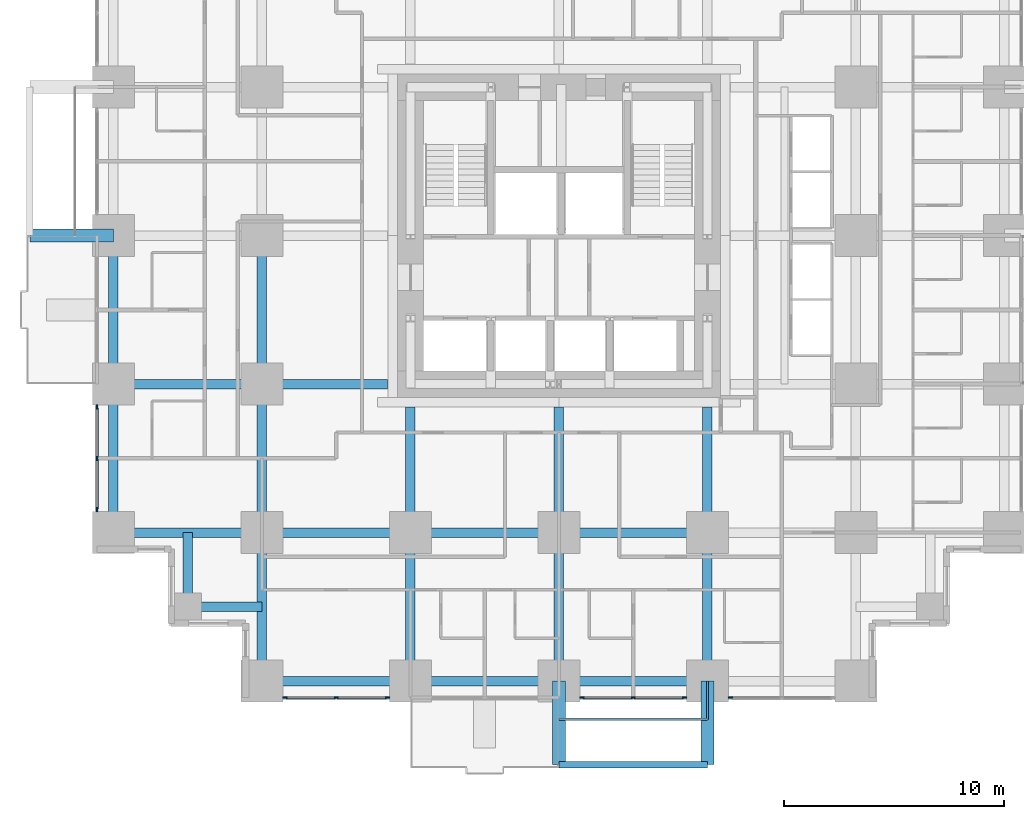
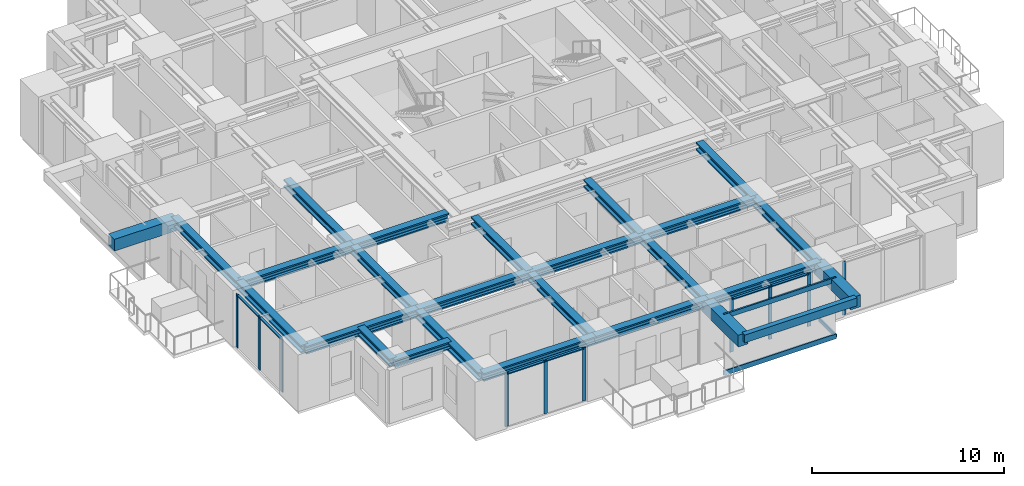
# One storey, part 2 of 15: 26 beams, 19 members, 4 elements without a shape of their own.
"""IFC4 building model written with IfcOpenShell, lengths in metres."""

import ifcopenshell
import ifcopenshell.guid

model = None  # the IFC model being written
_history = None  # IfcOwnerHistory: only IFC2X3 demands one
_inside = {}  # id of a spatial element -> (the spatial element, [elements in it])
_under = {}  # id of a project, library or spatial element -> (it, [spatial elements below it])
_declared = {}  # id of a project -> (the project, [libraries it declares])
_typed = {}  # id of a type object -> (the type object, [elements of that type])
_made_of = {}  # id of a material, layer set ... -> (it, [elements and type objects made of it])


def new_model(schema):
    """Start an empty IFC model of exactly this schema.

    Asked for "IFC4X3", IfcOpenShell would pick the latest addendum, in which some entities
    have other attributes; the version numbers below select the first issue.
    IFC2X3 requires an IfcOwnerHistory on every rooted entity: one is made here for all.
    """
    global model, _history
    if schema == "IFC4X3":
        model = ifcopenshell.file(schema_version=(4, 3, 0, 0))
    else:
        model = ifcopenshell.file(schema=schema)
    _inside.clear()
    _under.clear()
    _declared.clear()
    _typed.clear()
    _made_of.clear()
    _history = None
    if model.schema == "IFC2X3":
        org = make("IfcOrganization", Name="unknown")
        user = make(
            "IfcPersonAndOrganization",
            ThePerson=make("IfcPerson", FamilyName="unknown"),
            TheOrganization=org,
        )
        app = make(
            "IfcApplication",
            ApplicationDeveloper=org,
            Version="unknown",
            ApplicationFullName="unknown",
            ApplicationIdentifier="unknown",
        )
        _history = make(
            "IfcOwnerHistory",
            OwningUser=user,
            OwningApplication=app,
            ChangeAction="ADDED",
            CreationDate=0,
        )
    return model


def make(cls, **values):
    """One entity of the class cls with the attributes given. An attribute that is None is left unset."""
    return model.create_entity(
        cls, **{name: value for name, value in values.items() if value is not None}
    )


def rooted(cls, **values):
    """An entity with a GlobalId (a new one), such as an element, a storey or a relation."""
    return make(cls, GlobalId=ifcopenshell.guid.new(), OwnerHistory=_history, **values)


def si_unit(unit_type, name, prefix=None):
    """IfcSIUnit, for example si_unit("LENGTHUNIT", "METRE", prefix="MILLI")."""
    return make("IfcSIUnit", UnitType=unit_type, Prefix=prefix, Name=name)


def assignment(units):
    """IfcUnitAssignment: the units of a project."""
    return None if units is None else make("IfcUnitAssignment", Units=units)


def point(xyz):
    """IfcCartesianPoint."""
    return None if xyz is None else make("IfcCartesianPoint", Coordinates=xyz)


def direction(xyz):
    """IfcDirection."""
    return None if xyz is None else make("IfcDirection", DirectionRatios=xyz)


def frame(location, z_axis=None, x_axis=None):
    """IfcAxis2Placement3D, a coordinate frame: its origin and axes. An axis left out is left unset."""
    return make(
        "IfcAxis2Placement3D",
        Location=point(location),
        Axis=direction(z_axis),
        RefDirection=direction(x_axis),
    )


def frame_2d(location, x_axis=None):
    """IfcAxis2Placement2D, a coordinate frame in the plane: its origin and x axis."""
    return make(
        "IfcAxis2Placement2D", Location=point(location), RefDirection=direction(x_axis)
    )


def origin():
    """The frame at (0, 0, 0) with its axes left unset."""
    return frame((0.0, 0.0, 0.0))


def origin_2d():
    """The frame at (0, 0) in the plane with its x axis left unset."""
    return frame_2d((0.0, 0.0))


def place(relative_to, where):
    """IfcLocalPlacement: puts the frame where relative to a parent placement (None: the world)."""
    return make(
        "IfcLocalPlacement", PlacementRelTo=relative_to, RelativePlacement=where
    )


def context(
    kind, dimensions, precision=None, world=None, true_north=None, identifier=None
):
    """IfcGeometricRepresentationContext, for example the 3D "Model" context."""
    return make(
        "IfcGeometricRepresentationContext",
        ContextIdentifier=identifier,
        ContextType=kind,
        CoordinateSpaceDimension=dimensions,
        Precision=precision,
        WorldCoordinateSystem=world,
        TrueNorth=true_north,
    )


def subcontext(parent, identifier, kind, view, scale=None):
    """IfcGeometricRepresentationSubContext, for example "Body" below "Model"."""
    return make(
        "IfcGeometricRepresentationSubContext",
        ContextIdentifier=identifier,
        ContextType=kind,
        ParentContext=parent,
        TargetScale=scale,
        TargetView=view,
    )


def project(units=None, contexts=None):
    """IfcProject with its units and contexts."""
    return rooted(
        "IfcProject",
        Name="project",
        RepresentationContexts=contexts,
        UnitsInContext=assignment(units),
    )


def spatial(cls, under=None, at=None, **own):
    """A site, building, storey or space (cls), placed at a placement, below another one or the project."""
    s = rooted(cls, ObjectPlacement=at, **own)
    if under is not None:
        _under.setdefault(under.id(), (under, []))[1].append(s)
    return s


def profile(cls, at=None, kind="AREA", **sizes):
    """A parametric profile (cls). Its sizes go by their IFC names, for example OverallWidth=200.0."""
    return make(cls, ProfileType=kind, Position=at, **sizes)


def rectangle(**sizes):
    """IfcRectangleProfileDef."""
    return profile("IfcRectangleProfileDef", **sizes)


def hollow_rectangle(**sizes):
    """IfcRectangleHollowProfileDef."""
    return profile("IfcRectangleHollowProfileDef", **sizes)


def i_section(**sizes):
    """IfcIShapeProfileDef."""
    return profile("IfcIShapeProfileDef", **sizes)


def extrude(swept, where, along, depth):
    """IfcExtrudedAreaSolid: the profile swept, set in the frame where, extruded along a direction by depth."""
    return make(
        "IfcExtrudedAreaSolid",
        SweptArea=swept,
        Position=where,
        ExtrudedDirection=direction(along),
        Depth=depth,
    )


def shape(context_of_items, identifier, shape_type, items):
    """IfcShapeRepresentation: the items that make up one representation, for example the "Body"."""
    return make(
        "IfcShapeRepresentation",
        ContextOfItems=context_of_items,
        RepresentationIdentifier=identifier,
        RepresentationType=shape_type,
        Items=items,
    )


def material(Name=None, Category=None):
    """IfcMaterial."""
    return make("IfcMaterial", Name=Name, Category=Category)


def material_profile(
    of_material, cross_section, Name=None, Category=None, Priority=None
):
    """IfcMaterialProfile: a cross section and its material."""
    return make(
        "IfcMaterialProfile",
        Name=Name,
        Material=of_material,
        Profile=cross_section,
        Priority=Priority,
        Category=Category,
    )


def profile_set(profiles, Name=None, composite=None):
    """IfcMaterialProfileSet."""
    return make(
        "IfcMaterialProfileSet",
        Name=Name,
        MaterialProfiles=profiles,
        CompositeProfile=composite,
    )


def made_of(thing, what):
    """Note that an element or type object is made of a material, layer set ...; save() writes the relation."""
    if what is not None:
        _made_of.setdefault(what.id(), (what, []))[1].append(thing)
    return thing


def type_object(cls, material=None, **own):
    """A type object (cls), such as IfcWallType, which elements share."""
    return made_of(rooted(cls, **own), material)


def element(
    cls,
    number,
    at=None,
    inside=None,
    cuts=None,
    type_object=None,
    material=None,
    context=None,
    identifier="Body",
    shape_type=None,
    held_by="IfcProductDefinitionShape",
    body=None,
    shapes=None,
    **own,
):
    """One element of the class cls, such as IfcWall. Its Tag is "e" and its number.

    at: its placement. inside: the storey or other place that contains it. cuts: it is an
    opening in that element (IfcRelVoidsElement). A single representation is given by context,
    identifier, shape_type and body (its items); several are given by shapes. held_by: the class
    of the entity that holds the representations. save() writes the other relations.
    """
    e = rooted(cls, Tag="e%d" % number, ObjectPlacement=at, **own)
    if body is not None:
        shapes = [shape(context, identifier, shape_type, body)]
    if shapes is not None:
        e.Representation = make(held_by, Representations=shapes)
    if inside is not None:
        _inside.setdefault(inside.id(), (inside, []))[1].append(e)
    if cuts is not None:
        rooted(
            "IfcRelVoidsElement", RelatingBuildingElement=cuts, RelatedOpeningElement=e
        )
    if type_object is not None:
        _typed.setdefault(type_object.id(), (type_object, []))[1].append(e)
    return made_of(e, material)


def aggregate(whole, parts):
    """IfcRelAggregates: a whole, such as a stair, and the parts it consists of."""
    return rooted("IfcRelAggregates", RelatingObject=whole, RelatedObjects=parts)


def save(model, path):
    """Write the relations noted so far, then the file.

    IfcRelAggregates (storeys below a building ...), IfcRelContainedInSpatialStructure (elements
    in a storey), IfcRelDefinesByType, IfcRelAssociatesMaterial and IfcRelDeclares: one each for
    every whole, place, type object, material and project.
    """
    for whole, parts in _under.values():
        aggregate(whole, parts)
    for where, things in _inside.values():
        rooted(
            "IfcRelContainedInSpatialStructure",
            RelatedElements=things,
            RelatingStructure=where,
        )
    for kind, things in _typed.values():
        rooted("IfcRelDefinesByType", RelatedObjects=things, RelatingType=kind)
    for what, things in _made_of.values():
        rooted("IfcRelAssociatesMaterial", RelatedObjects=things, RelatingMaterial=what)
    for by, libraries in _declared.values():
        rooted("IfcRelDeclares", RelatingContext=by, RelatedDefinitions=libraries)
    model.write(path)


model = new_model("IFC4")

# Units and contexts
model_context = context("Model", 3, precision=1e-05, world=origin(), true_north=direction((0.0, 1.0)))
body_context = subcontext(model_context, "Body", "Model", "MODEL_VIEW")
ifc_project = project(units=[si_unit("LENGTHUNIT", "METRE"), si_unit("AREAUNIT", "SQUARE_METRE"), si_unit("VOLUMEUNIT", "CUBIC_METRE"), si_unit("PLANEANGLEUNIT", "RADIAN"), si_unit("MASSUNIT", "GRAM", prefix="KILO")], contexts=[model_context])

# Site, building, storey
site_placement = place(None, origin())
site = spatial("IfcSite", under=ifc_project, at=site_placement, CompositionType="ELEMENT")
building_placement = place(site_placement, origin())
building = spatial("IfcBuilding", under=site, at=building_placement, Name="Nyansa Garden Tower", CompositionType="ELEMENT")
storey_placement = place(building_placement, frame((0.0, 0.0, 32.39990234375)))
storey = spatial("IfcBuildingStorey", under=building, at=storey_placement, Name="L08", CompositionType="ELEMENT", Elevation=32.39990234375)

# Beams
ifc_material_1 = material(Name="Concrete C70/85", Category="concrete")
ifc_material_profile_1 = material_profile(ifc_material_1, rectangle(XDim=0.60009765625, YDim=0.75, at=origin_2d()), Name="RC 600x750")
ifc_profile_set_1 = profile_set([ifc_material_profile_1], Name="Concrete C70/85")
beam_type_1 = type_object("IfcBeamType", Name="Balcony cantilever beam CB1 RC 600x750", PredefinedType="BEAM", material=ifc_profile_set_1)
for number, where, z_axis, x_axis, name in (
    (1, (20.25, 0.0, 2.985107421875), (0.0, -1.0, 0.0), (1.0, 0.0, 0.0), "Balcony cantilever beam L09"),
    (2, (27.0, 0.0, 2.985107421875), (0.0, -1.0, 0.0), (1.0, 0.0, 0.0), "Balcony cantilever beam L09"),
    (3, (0.0, 20.25, 2.985107421875), (-1.0, 0.0, 0.0), (0.0, -1.0, 0.0), "Balcony cantilever beam L09"),
):
    element("IfcBeam", number, at=place(storey_placement, frame(where, z_axis=z_axis, x_axis=x_axis)), inside=storey, type_object=beam_type_1, Name=name, PredefinedType="BEAM", context=body_context, shape_type="SweptSolid", body=[
        extrude(rectangle(XDim=0.60009765625, YDim=0.75, at=origin_2d()), origin(), (0.0, 0.0, 1.0), 3.800048828125),
    ])
ifc_material_2 = material(Name="Concrete C70/85", Category="concrete")
ifc_material_profile_2 = material_profile(ifc_material_2, rectangle(XDim=0.300048828125, YDim=0.5, at=origin_2d()), Name="RC 300x500")
ifc_profile_set_2 = profile_set([ifc_material_profile_2], Name="Concrete C70/85")
beam_type_2 = type_object("IfcBeamType", Name="Balcony edge beam BE1 RC 300x500", PredefinedType="BEAM", material=ifc_profile_set_2)
beam_1_placement = place(storey_placement, frame((20.25, -3.800048828125, 3.110107421875), z_axis=(1.0, 0.0, 0.0), x_axis=(0.0, 1.0, 0.0)))
element("IfcBeam", 4, at=beam_1_placement, inside=storey, type_object=beam_type_2, Name="Balcony edge beam L09", PredefinedType="BEAM", context=body_context, shape_type="SweptSolid", body=[
    extrude(rectangle(XDim=0.300048828125, YDim=0.5, at=origin_2d()), origin(), (0.0, 0.0, 1.0), 6.75),
])

# Curtain wall, members
ifc_material_3 = material(Name="Black anodised aluminium, dark tinted double glazing", Category="aluminium")
curtain_wall_type = type_object("IfcCurtainWallType", Name="Inner skin curtain wall ISW-A", PredefinedType="USERDEFINED", material=ifc_material_3)
curtain_wall_1_placement = place(storey_placement, origin())
curtain_wall_1 = element("IfcCurtainWall", 5, at=curtain_wall_1_placement, inside=storey, type_object=curtain_wall_type, Name="Inner skin curtain wall L08 W", ObjectType="UNITISED CURTAIN WALL", PredefinedType="USERDEFINED")
ifc_material_4 = material(Name="Black anodised aluminium", Category="aluminium")
ifc_material_profile_3 = material_profile(ifc_material_4, rectangle(XDim=0.06494140625, YDim=0.199951171875, at=origin_2d()), Name="Mullion 200x65")
ifc_profile_set_3 = profile_set([ifc_material_profile_3], Name="Black anodised aluminium")
member_type_1 = type_object("IfcMemberType", Name="Mullion ISW-A 200x65", PredefinedType="MULLION", material=ifc_profile_set_3)
member_1_placement = place(storey_placement, frame((-0.75, 12.449951171875, 0.0), z_axis=(0.0, 0.0, 1.0), x_axis=(1.0, 0.0, 0.0)))
member_1 = element("IfcMember", 6, at=member_1_placement, type_object=member_type_1, Name="ISW-A mullion 1", PredefinedType="MULLION", context=body_context, shape_type="SweptSolid", body=[
    extrude(rectangle(XDim=0.06494140625, YDim=0.199951171875, at=origin_2d()), origin(), (0.0, 0.0, 1.0), 3.375),
])
member_2_placement = place(storey_placement, frame((-0.75, 10.125, 0.0), z_axis=(0.0, 0.0, 1.0), x_axis=(1.0, 0.0, 0.0)))
member_2 = element("IfcMember", 7, at=member_2_placement, type_object=member_type_1, Name="ISW-A mullion 2", PredefinedType="MULLION", context=body_context, shape_type="SweptSolid", body=[
    extrude(rectangle(XDim=0.06494140625, YDim=0.199951171875, at=origin_2d()), origin(), (0.0, 0.0, 1.0), 3.375),
])
member_3_placement = place(storey_placement, frame((-0.75, 7.800048828125, 0.0), z_axis=(0.0, 0.0, 1.0), x_axis=(1.0, 0.0, 0.0)))
member_3 = element("IfcMember", 8, at=member_3_placement, type_object=member_type_1, Name="ISW-A mullion 3", PredefinedType="MULLION", context=body_context, shape_type="SweptSolid", body=[
    extrude(rectangle(XDim=0.06494140625, YDim=0.199951171875, at=origin_2d()), origin(), (0.0, 0.0, 1.0), 3.375),
])

curtain_wall_2_placement = place(storey_placement, origin())
curtain_wall_2 = element("IfcCurtainWall", 9, at=curtain_wall_2_placement, inside=storey, type_object=curtain_wall_type, Name="Inner skin curtain wall L08 S", ObjectType="UNITISED CURTAIN WALL", PredefinedType="USERDEFINED")
member_4_placement = place(storey_placement, frame((7.800048828125, -0.75, 0.0), z_axis=(0.0, 0.0, 1.0), x_axis=(0.0, 1.0, 0.0)))
member_4 = element("IfcMember", 10, at=member_4_placement, type_object=member_type_1, Name="ISW-A mullion 1", PredefinedType="MULLION", context=body_context, shape_type="SweptSolid", body=[
    extrude(rectangle(XDim=0.06494140625, YDim=0.199951171875, at=origin_2d()), origin(), (0.0, 0.0, 1.0), 3.375),
])
member_5_placement = place(storey_placement, frame((10.125, -0.75, 0.0), z_axis=(0.0, 0.0, 1.0), x_axis=(0.0, 1.0, 0.0)))
member_5 = element("IfcMember", 11, at=member_5_placement, type_object=member_type_1, Name="ISW-A mullion 2", PredefinedType="MULLION", context=body_context, shape_type="SweptSolid", body=[
    extrude(rectangle(XDim=0.06494140625, YDim=0.199951171875, at=origin_2d()), origin(), (0.0, 0.0, 1.0), 3.375),
])
member_6_placement = place(storey_placement, frame((12.449951171875, -0.75, 0.0), z_axis=(0.0, 0.0, 1.0), x_axis=(0.0, 1.0, 0.0)))
member_6 = element("IfcMember", 12, at=member_6_placement, type_object=member_type_1, Name="ISW-A mullion 3", PredefinedType="MULLION", context=body_context, shape_type="SweptSolid", body=[
    extrude(rectangle(XDim=0.06494140625, YDim=0.199951171875, at=origin_2d()), origin(), (0.0, 0.0, 1.0), 3.375),
])

curtain_wall_3_placement = place(storey_placement, origin())
curtain_wall_3 = element("IfcCurtainWall", 13, at=curtain_wall_3_placement, inside=storey, type_object=curtain_wall_type, Name="Inner skin curtain wall L08 S", ObjectType="UNITISED CURTAIN WALL", PredefinedType="USERDEFINED")
member_7_placement = place(storey_placement, frame((21.300048828125, -0.75, 0.0), z_axis=(0.0, 0.0, 1.0), x_axis=(0.0, 1.0, 0.0)))
member_7 = element("IfcMember", 14, at=member_7_placement, type_object=member_type_1, Name="ISW-A mullion 1", PredefinedType="MULLION", context=body_context, shape_type="SweptSolid", body=[
    extrude(rectangle(XDim=0.06494140625, YDim=0.199951171875, at=origin_2d()), origin(), (0.0, 0.0, 1.0), 3.375),
])
member_8_placement = place(storey_placement, frame((23.625, -0.75, 0.0), z_axis=(0.0, 0.0, 1.0), x_axis=(0.0, 1.0, 0.0)))
member_8 = element("IfcMember", 15, at=member_8_placement, type_object=member_type_1, Name="ISW-A mullion 2", PredefinedType="MULLION", context=body_context, shape_type="SweptSolid", body=[
    extrude(rectangle(XDim=0.06494140625, YDim=0.199951171875, at=origin_2d()), origin(), (0.0, 0.0, 1.0), 3.375),
])
member_9_placement = place(storey_placement, frame((25.949951171875, -0.75, 0.0), z_axis=(0.0, 0.0, 1.0), x_axis=(0.0, 1.0, 0.0)))
member_9 = element("IfcMember", 16, at=member_9_placement, type_object=member_type_1, Name="ISW-A mullion 3", PredefinedType="MULLION", context=body_context, shape_type="SweptSolid", body=[
    extrude(rectangle(XDim=0.06494140625, YDim=0.199951171875, at=origin_2d()), origin(), (0.0, 0.0, 1.0), 3.375),
])

# Curtain wall, member
curtain_wall_4_placement = place(storey_placement, origin())
curtain_wall_4 = element("IfcCurtainWall", 17, at=curtain_wall_4_placement, inside=storey, type_object=curtain_wall_type, Name="Inner skin curtain wall L08 S", ObjectType="UNITISED CURTAIN WALL", PredefinedType="USERDEFINED")
member_10_placement = place(storey_placement, frame((28.050048828125, -0.75, 0.0), z_axis=(0.0, 0.0, 1.0), x_axis=(0.0, 1.0, 0.0)))
member_10 = element("IfcMember", 18, at=member_10_placement, type_object=member_type_1, Name="ISW-A mullion 1", PredefinedType="MULLION", context=body_context, shape_type="SweptSolid", body=[
    extrude(rectangle(XDim=0.06494140625, YDim=0.199951171875, at=origin_2d()), origin(), (0.0, 0.0, 1.0), 3.375),
])
aggregate(curtain_wall_4, [member_10])

# Members
ifc_material_5 = material(Name="Steel S355, black powder coated", Category="steel")
ifc_material_profile_4 = material_profile(ifc_material_5, hollow_rectangle(XDim=0.10009765625, YDim=0.199951171875, WallThickness=0.008056640625, at=origin_2d()), Name="RHS 200x100x8")
ifc_profile_set_4 = profile_set([ifc_material_profile_4], Name="Steel S355, black powder coated")
member_type_2 = type_object("IfcMemberType", Name="Outer skin bracket arm RHS 200x100x8", PredefinedType="USERDEFINED", material=ifc_profile_set_4)
member_11_placement = place(storey_placement, frame((27.0, 0.0, -0.375), z_axis=(0.0, -1.0, 0.0), x_axis=(1.0, 0.0, 0.0)))
element("IfcMember", 19, at=member_11_placement, inside=storey, type_object=member_type_2, Name="Outer skin bracket arm", ObjectType="OUTER SKIN BRACKET", PredefinedType="USERDEFINED", context=body_context, shape_type="SweptSolid", body=[
    extrude(hollow_rectangle(XDim=0.10009765625, YDim=0.199951171875, WallThickness=0.008056640625, at=origin_2d()), origin(), (0.0, 0.0, 1.0), 1.75),
])
ifc_material_6 = material(Name="Steel S355, black powder coated", Category="steel")
ifc_material_profile_5 = material_profile(ifc_material_6, hollow_rectangle(XDim=0.10009765625, YDim=0.300048828125, WallThickness=0.010009765625, at=origin_2d()), Name="RHS 300x100x10")
ifc_profile_set_5 = profile_set([ifc_material_profile_5], Name="Steel S355, black powder coated")
member_type_3 = type_object("IfcMemberType", Name="Outer skin rail RHS 300x100x10", PredefinedType="USERDEFINED", material=ifc_profile_set_5)
for number, where, z_axis, x_axis, name in (
    (20, (20.25, -1.75, -0.375), (1.0, 0.0, 0.0), (0.0, 1.0, 0.0), "Outer skin rail L08"),
    (21, (20.25, -1.75, 3.22509765625), (1.0, 0.0, 0.0), (0.0, 1.0, 0.0), "Outer skin rail L08 head"),
):
    element("IfcMember", number, at=place(storey_placement, frame(where, z_axis=z_axis, x_axis=x_axis)), inside=storey, type_object=member_type_3, Name=name, ObjectType="OUTER SKIN RAIL", PredefinedType="USERDEFINED", context=body_context, shape_type="SweptSolid", body=[
        extrude(hollow_rectangle(XDim=0.10009765625, YDim=0.300048828125, WallThickness=0.010009765625, at=origin_2d()), origin(), (0.0, 0.0, 1.0), 6.75),
    ])

# Beams
ifc_material_7 = material(Name="Steel S355", Category="steel")
ifc_material_profile_6 = material_profile(ifc_material_7, i_section(OverallWidth=0.431884765625, OverallDepth=0.498046875, WebThickness=0.0556640625, FlangeThickness=0.0888671875, FilletRadius=0.014892578125, at=origin_2d()), Name="HD 400x744")
ifc_profile_set_6 = profile_set([ifc_material_profile_6], Name="Steel S355")
beam_type_3 = type_object("IfcBeamType", Name="Steel beam SBA1-744 HD 400x744", PredefinedType="BEAM", material=ifc_profile_set_6)
for number, where, z_axis, x_axis, name in (
    (22, (0.0, 6.75, 3.1259765625), (1.0, 0.0, 0.0), (0.0, 1.0, 0.0), "Steel beam 2/E-3/E L09"),
    (23, (0.0, 13.5, 3.1259765625), (1.0, 0.0, 0.0), (0.0, 1.0, 0.0), "Steel beam 2/F-3/F L09"),
    (24, (6.75, 0.0, 3.1259765625), (0.0, 1.0, 0.0), (-1.0, 0.0, 0.0), "Steel beam 3/D-3/E L09"),
    (25, (6.75, 6.75, 3.1259765625), (0.0, 1.0, 0.0), (-1.0, 0.0, 0.0), "Steel beam 3/E-3/F L09"),
    (26, (6.75, 6.75, 3.1259765625), (1.0, 0.0, 0.0), (0.0, 1.0, 0.0), "Steel beam 3/E-4/E L09"),
    (27, (6.75, 13.5, 3.1259765625), (0.0, 1.0, 0.0), (-1.0, 0.0, 0.0), "Steel beam 3/F-3/G L09"),
):
    element("IfcBeam", number, at=place(storey_placement, frame(where, z_axis=z_axis, x_axis=x_axis)), inside=storey, type_object=beam_type_3, Name=name, PredefinedType="BEAM", context=body_context, shape_type="SweptSolid", body=[
        extrude(i_section(OverallWidth=0.431884765625, OverallDepth=0.498046875, WebThickness=0.0556640625, FlangeThickness=0.0888671875, FilletRadius=0.014892578125, at=origin_2d()), origin(), (0.0, 0.0, 1.0), 6.75),
    ])
beam_2_placement = place(storey_placement, frame((6.75, 13.5, 3.1259765625), z_axis=(1.0, 0.0, 0.0), x_axis=(0.0, 1.0, 0.0)))
element("IfcBeam", 28, at=beam_2_placement, inside=storey, type_object=beam_type_3, Name="Steel beam 3/F-12.450/F L09", PredefinedType="BEAM", context=body_context, shape_type="SweptSolid", body=[
    extrude(i_section(OverallWidth=0.431884765625, OverallDepth=0.498046875, WebThickness=0.0556640625, FlangeThickness=0.0888671875, FilletRadius=0.014892578125, at=origin_2d()), origin(), (0.0, 0.0, 1.0), 5.699951171875),
])
beam_3_placement = place(storey_placement, frame((13.5, 0.0, 3.1259765625), z_axis=(0.0, 1.0, 0.0), x_axis=(-1.0, 0.0, 0.0)))
element("IfcBeam", 29, at=beam_3_placement, inside=storey, type_object=beam_type_3, Name="Steel beam 4/D-4/E L09", PredefinedType="BEAM", context=body_context, shape_type="SweptSolid", body=[
    extrude(i_section(OverallWidth=0.431884765625, OverallDepth=0.498046875, WebThickness=0.0556640625, FlangeThickness=0.0888671875, FilletRadius=0.014892578125, at=origin_2d()), origin(), (0.0, 0.0, 1.0), 6.75),
])
beam_4_placement = place(storey_placement, frame((13.5, 6.75, 3.1259765625), z_axis=(0.0, 1.0, 0.0), x_axis=(-1.0, 0.0, 0.0)))
element("IfcBeam", 30, at=beam_4_placement, inside=storey, type_object=beam_type_3, Name="Steel beam 4/E-4/12.450 L09", PredefinedType="BEAM", context=body_context, shape_type="SweptSolid", body=[
    extrude(i_section(OverallWidth=0.431884765625, OverallDepth=0.498046875, WebThickness=0.0556640625, FlangeThickness=0.0888671875, FilletRadius=0.014892578125, at=origin_2d()), origin(), (0.0, 0.0, 1.0), 5.699951171875),
])
for number, where, z_axis, x_axis, name in (
    (31, (13.5, 6.75, 3.1259765625), (1.0, 0.0, 0.0), (0.0, 1.0, 0.0), "Steel beam 4/E-5/E L09"),
    (32, (20.25, 0.0, 3.1259765625), (0.0, 1.0, 0.0), (-1.0, 0.0, 0.0), "Steel beam 5/D-5/E L09"),
):
    element("IfcBeam", number, at=place(storey_placement, frame(where, z_axis=z_axis, x_axis=x_axis)), inside=storey, type_object=beam_type_3, Name=name, PredefinedType="BEAM", context=body_context, shape_type="SweptSolid", body=[
        extrude(i_section(OverallWidth=0.431884765625, OverallDepth=0.498046875, WebThickness=0.0556640625, FlangeThickness=0.0888671875, FilletRadius=0.014892578125, at=origin_2d()), origin(), (0.0, 0.0, 1.0), 6.75),
    ])
beam_5_placement = place(storey_placement, frame((20.25, 6.75, 3.1259765625), z_axis=(0.0, 1.0, 0.0), x_axis=(-1.0, 0.0, 0.0)))
element("IfcBeam", 33, at=beam_5_placement, inside=storey, type_object=beam_type_3, Name="Steel beam 5/E-5/12.450 L09", PredefinedType="BEAM", context=body_context, shape_type="SweptSolid", body=[
    extrude(i_section(OverallWidth=0.431884765625, OverallDepth=0.498046875, WebThickness=0.0556640625, FlangeThickness=0.0888671875, FilletRadius=0.014892578125, at=origin_2d()), origin(), (0.0, 0.0, 1.0), 5.699951171875),
])
for number, where, z_axis, x_axis, name in (
    (34, (20.25, 6.75, 3.1259765625), (1.0, 0.0, 0.0), (0.0, 1.0, 0.0), "Steel beam 5/E-6/E L09"),
    (35, (27.0, 0.0, 3.1259765625), (0.0, 1.0, 0.0), (-1.0, 0.0, 0.0), "Steel beam 6/D-6/E L09"),
):
    element("IfcBeam", number, at=place(storey_placement, frame(where, z_axis=z_axis, x_axis=x_axis)), inside=storey, type_object=beam_type_3, Name=name, PredefinedType="BEAM", context=body_context, shape_type="SweptSolid", body=[
        extrude(i_section(OverallWidth=0.431884765625, OverallDepth=0.498046875, WebThickness=0.0556640625, FlangeThickness=0.0888671875, FilletRadius=0.014892578125, at=origin_2d()), origin(), (0.0, 0.0, 1.0), 6.75),
    ])
beam_6_placement = place(storey_placement, frame((27.0, 6.75, 3.1259765625), z_axis=(0.0, 1.0, 0.0), x_axis=(-1.0, 0.0, 0.0)))
element("IfcBeam", 36, at=beam_6_placement, inside=storey, type_object=beam_type_3, Name="Steel beam 6/E-6/12.450 L09", PredefinedType="BEAM", context=body_context, shape_type="SweptSolid", body=[
    extrude(i_section(OverallWidth=0.431884765625, OverallDepth=0.498046875, WebThickness=0.0556640625, FlangeThickness=0.0888671875, FilletRadius=0.014892578125, at=origin_2d()), origin(), (0.0, 0.0, 1.0), 5.699951171875),
])
ifc_material_8 = material(Name="Steel S355", Category="steel")
ifc_material_profile_7 = material_profile(ifc_material_8, i_section(OverallWidth=0.431884765625, OverallDepth=0.498046875, WebThickness=0.0556640625, FlangeThickness=0.0888671875, FilletRadius=0.014892578125, at=origin_2d()), Name="HD 400x744")
ifc_profile_set_7 = profile_set([ifc_material_profile_7], Name="Steel S355")
beam_type_4 = type_object("IfcBeamType", Name="Steel beam SEBA-744 HD 400x744", PredefinedType="BEAM", material=ifc_profile_set_7)
for number, where, z_axis, x_axis, name in (
    (37, (0.0, 6.75, 3.1259765625), (0.0, 1.0, 0.0), (-1.0, 0.0, 0.0), "Steel edge beam 2/E-2/F L09"),
    (38, (0.0, 13.5, 3.1259765625), (0.0, 1.0, 0.0), (-1.0, 0.0, 0.0), "Steel edge beam 2/F-2/G L09"),
    (39, (6.75, 0.0, 3.1259765625), (1.0, 0.0, 0.0), (0.0, 1.0, 0.0), "Steel edge beam 3/D-4/D L09"),
    (40, (13.5, 0.0, 3.1259765625), (1.0, 0.0, 0.0), (0.0, 1.0, 0.0), "Steel edge beam 4/D-5/D L09"),
    (41, (20.25, 0.0, 3.1259765625), (1.0, 0.0, 0.0), (0.0, 1.0, 0.0), "Steel edge beam 5/D-6/D L09"),
):
    element("IfcBeam", number, at=place(storey_placement, frame(where, z_axis=z_axis, x_axis=x_axis)), inside=storey, type_object=beam_type_4, Name=name, PredefinedType="BEAM", context=body_context, shape_type="SweptSolid", body=[
        extrude(i_section(OverallWidth=0.431884765625, OverallDepth=0.498046875, WebThickness=0.0556640625, FlangeThickness=0.0888671875, FilletRadius=0.014892578125, at=origin_2d()), origin(), (0.0, 0.0, 1.0), 6.75),
    ])
ifc_material_9 = material(Name="Steel S355", Category="steel")
ifc_material_profile_8 = material_profile(ifc_material_9, i_section(OverallWidth=0.431884765625, OverallDepth=0.498046875, WebThickness=0.0556640625, FlangeThickness=0.0888671875, FilletRadius=0.014892578125, at=origin_2d()), Name="HD 400x744")
ifc_profile_set_8 = profile_set([ifc_material_profile_8], Name="Steel S355")
beam_type_5 = type_object("IfcBeamType", Name="Steel beam SSB1-744 HD 400x744", PredefinedType="BEAM", material=ifc_profile_set_8)
for number, where, z_axis, x_axis, name in (
    (42, (3.375, 3.375, 3.1259765625), (0.0, 1.0, 0.0), (-1.0, 0.0, 0.0), "Steel step beam 3.375/3.375 L09"),
    (43, (3.375, 3.375, 3.1259765625), (1.0, 0.0, 0.0), (0.0, 1.0, 0.0), "Steel step beam 3.375/3.375 L09"),
):
    element("IfcBeam", number, at=place(storey_placement, frame(where, z_axis=z_axis, x_axis=x_axis)), inside=storey, type_object=beam_type_5, Name=name, PredefinedType="BEAM", context=body_context, shape_type="SweptSolid", body=[
        extrude(i_section(OverallWidth=0.431884765625, OverallDepth=0.498046875, WebThickness=0.0556640625, FlangeThickness=0.0888671875, FilletRadius=0.014892578125, at=origin_2d()), origin(), (0.0, 0.0, 1.0), 3.375),
    ])

# Member
ifc_material_10 = material(Name="Black anodised aluminium", Category="aluminium")
ifc_material_profile_9 = material_profile(ifc_material_10, rectangle(XDim=0.14990234375, YDim=0.06494140625, at=origin_2d()), Name="Transom 150x65")
ifc_profile_set_9 = profile_set([ifc_material_profile_9], Name="Black anodised aluminium")
member_type_4 = type_object("IfcMemberType", Name="Transom ISW-A 150x65", PredefinedType="USERDEFINED", material=ifc_profile_set_9)
member_12_placement = place(storey_placement, frame((-0.75, 12.41748046875, 3.342529296875), z_axis=(0.0, -1.0, 0.0), x_axis=(1.0, 0.0, 0.0)))
member_12 = element("IfcMember", 44, at=member_12_placement, type_object=member_type_4, Name="ISW-A transom 1", ObjectType="TRANSOM", PredefinedType="USERDEFINED", context=body_context, shape_type="SweptSolid", body=[
    extrude(rectangle(XDim=0.14990234375, YDim=0.06494140625, at=origin_2d()), origin(), (0.0, 0.0, 1.0), 2.260009765625),
])

member_13_placement = place(storey_placement, frame((-0.75, 10.092529296875, 3.342529296875), z_axis=(0.0, -1.0, 0.0), x_axis=(1.0, 0.0, 0.0)))
member_13 = element("IfcMember", 45, at=member_13_placement, type_object=member_type_4, Name="ISW-A transom 2", ObjectType="TRANSOM", PredefinedType="USERDEFINED", context=body_context, shape_type="SweptSolid", body=[
    extrude(rectangle(XDim=0.14990234375, YDim=0.06494140625, at=origin_2d()), origin(), (0.0, 0.0, 1.0), 2.260009765625),
])

aggregate(curtain_wall_1, [member_1, member_2, member_3, member_12, member_13])

member_14_placement = place(storey_placement, frame((7.83251953125, -0.75, 3.342529296875), z_axis=(1.0, 0.0, 0.0), x_axis=(0.0, 1.0, 0.0)))
member_14 = element("IfcMember", 46, at=member_14_placement, type_object=member_type_4, Name="ISW-A transom 1", ObjectType="TRANSOM", PredefinedType="USERDEFINED", context=body_context, shape_type="SweptSolid", body=[
    extrude(rectangle(XDim=0.14990234375, YDim=0.06494140625, at=origin_2d()), origin(), (0.0, 0.0, 1.0), 2.260009765625),
])

member_15_placement = place(storey_placement, frame((10.157470703125, -0.75, 3.342529296875), z_axis=(1.0, 0.0, 0.0), x_axis=(0.0, 1.0, 0.0)))
member_15 = element("IfcMember", 47, at=member_15_placement, type_object=member_type_4, Name="ISW-A transom 2", ObjectType="TRANSOM", PredefinedType="USERDEFINED", context=body_context, shape_type="SweptSolid", body=[
    extrude(rectangle(XDim=0.14990234375, YDim=0.06494140625, at=origin_2d()), origin(), (0.0, 0.0, 1.0), 2.260009765625),
])

aggregate(curtain_wall_2, [member_4, member_5, member_6, member_14, member_15])

member_16_placement = place(storey_placement, frame((21.33251953125, -0.75, 3.342529296875), z_axis=(1.0, 0.0, 0.0), x_axis=(0.0, 1.0, 0.0)))
member_16 = element("IfcMember", 48, at=member_16_placement, type_object=member_type_4, Name="ISW-A transom 1", ObjectType="TRANSOM", PredefinedType="USERDEFINED", context=body_context, shape_type="SweptSolid", body=[
    extrude(rectangle(XDim=0.14990234375, YDim=0.06494140625, at=origin_2d()), origin(), (0.0, 0.0, 1.0), 2.260009765625),
])

member_17_placement = place(storey_placement, frame((23.657470703125, -0.75, 3.342529296875), z_axis=(1.0, 0.0, 0.0), x_axis=(0.0, 1.0, 0.0)))
member_17 = element("IfcMember", 49, at=member_17_placement, type_object=member_type_4, Name="ISW-A transom 2", ObjectType="TRANSOM", PredefinedType="USERDEFINED", context=body_context, shape_type="SweptSolid", body=[
    extrude(rectangle(XDim=0.14990234375, YDim=0.06494140625, at=origin_2d()), origin(), (0.0, 0.0, 1.0), 2.260009765625),
])

aggregate(curtain_wall_3, [member_7, member_8, member_9, member_16, member_17])

save(model, "model.ifc")
